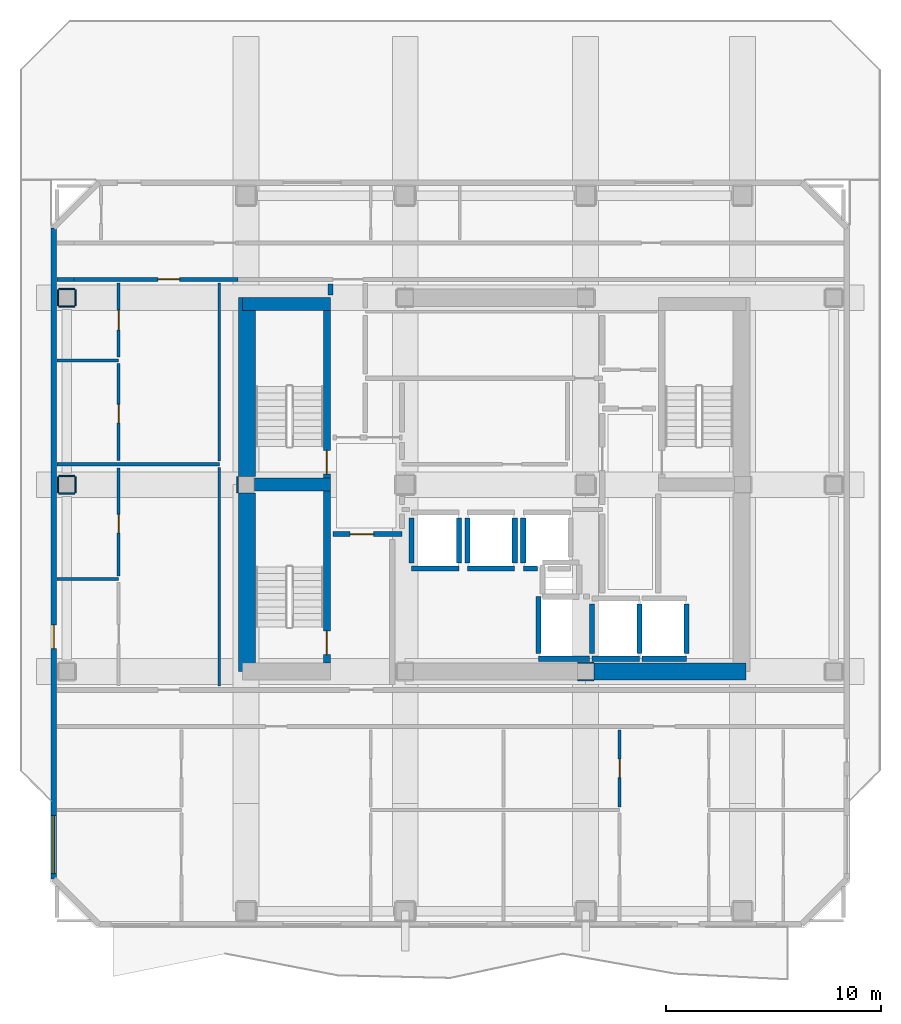
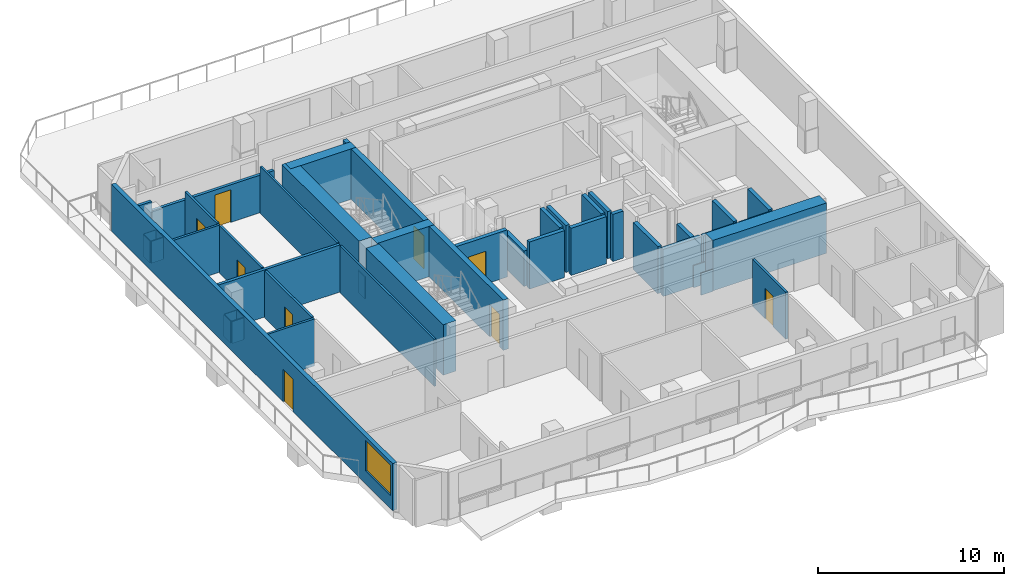
# One storey, part 3 of 10: 47 walls, 9 doors, 1 window, 10 openings.
"""IFC4 building model written with IfcOpenShell, lengths in metres."""

from ifc_helpers import new_model, si_unit, direction, frame, frame_2d, origin, place, context, subcontext, project, spatial, rectangle, extrude, material, layer, layer_set, type_object, element, fill, save


model = new_model("IFC4")

# Units and contexts
model_context = context("Model", 3, precision=1e-05, world=origin(), true_north=direction((0.0, 1.0)))
body_context = subcontext(model_context, "Body", "Model", "MODEL_VIEW")
ifc_project = project(units=[si_unit("LENGTHUNIT", "METRE"), si_unit("AREAUNIT", "SQUARE_METRE"), si_unit("VOLUMEUNIT", "CUBIC_METRE"), si_unit("PLANEANGLEUNIT", "RADIAN"), si_unit("MASSUNIT", "GRAM", prefix="KILO")], contexts=[model_context])

# Site, building, storey
site_placement = place(None, origin())
site = spatial("IfcSite", under=ifc_project, at=site_placement, CompositionType="ELEMENT")
building_placement = place(site_placement, origin())
building = spatial("IfcBuilding", under=site, at=building_placement, Name="Solanera Arch Residences", CompositionType="ELEMENT")
storey_placement = place(building_placement, frame((0.0, 0.0, 190.159912109375)))
storey = spatial("IfcBuildingStorey", under=building, at=storey_placement, Name="L55", CompositionType="ELEMENT", Elevation=190.159912109375)

# Walls
ifc_material_1 = material(Name="Fire-Rated Gypsum Stud Partition", Category="gypsum")
ifc_layer_1 = layer(ifc_material_1, 0.06005859375)
ifc_layer_set_1 = layer_set([ifc_layer_1], Name="Fire-Rated Gypsum Stud Partition")
wall_type_1 = type_object("IfcWallType", Name="Column Acoustic Furring Wall 60", PredefinedType="PARTITIONING", material=ifc_layer_set_1)
for number, where, z_axis, x_axis, name in (
    (1, (28.8330078125, 21.593017578125, 0.0), (0.0, 0.0, 1.0), (1.0, 0.0, 0.0), "L55 Column Furring 2S"),
    (2, (28.8330078125, 22.406982421875, 0.0), (0.0, 0.0, 1.0), (1.0, 0.0, 0.0), "L55 Column Furring 2N"),
):
    element("IfcWall", number, at=place(storey_placement, frame(where, z_axis=z_axis, x_axis=x_axis)), inside=storey, type_object=wall_type_1, Name=name, PredefinedType="PARTITIONING", context=body_context, shape_type="SweptSolid", body=[
        extrude(rectangle(XDim=0.73388671875, YDim=0.06005859375, at=frame_2d((0.366943359375, 0.0))), origin(), (0.0, 0.0, 1.0), 1.4501953125),
    ])
for number, where, z_axis, x_axis, name in (
    (3, (12.992919921875, 30.324951171875, 0.0), (0.0, 0.0, 1.0), (0.0, 1.0, 0.0), "L55 Column Furring 5W"),
    (4, (4.675048828125, 30.29296875, 0.0), (0.0, 0.0, 1.0), (1.0, 0.0, 0.0), "L55 Column Furring 19S"),
    (5, (4.675048828125, 31.10693359375, 0.0), (0.0, 0.0, 1.0), (1.0, 0.0, 0.0), "L55 Column Furring 19N"),
    (6, (4.64306640625, 30.324951171875, 0.0), (0.0, 0.0, 1.0), (0.0, 1.0, 0.0), "L55 Column Furring 19W"),
    (7, (5.45703125, 30.324951171875, 0.0), (0.0, 0.0, 1.0), (0.0, 1.0, 0.0), "L55 Column Furring 19E"),
    (8, (4.675048828125, 38.992919921875, 0.0), (0.0, 0.0, 1.0), (1.0, 0.0, 0.0), "L55 Column Furring 21S"),
    (9, (4.675048828125, 39.806884765625, 0.0), (0.0, 0.0, 1.0), (1.0, 0.0, 0.0), "L55 Column Furring 21N"),
    (10, (4.64306640625, 39.02490234375, 0.0), (0.0, 0.0, 1.0), (0.0, 1.0, 0.0), "L55 Column Furring 21W"),
    (11, (5.45703125, 39.02490234375, 0.0), (0.0, 0.0, 1.0), (0.0, 1.0, 0.0), "L55 Column Furring 21E"),
):
    element("IfcWall", number, at=place(storey_placement, frame(where, z_axis=z_axis, x_axis=x_axis)), inside=storey, type_object=wall_type_1, Name=name, PredefinedType="PARTITIONING", context=body_context, shape_type="SweptSolid", body=[
        extrude(rectangle(XDim=0.75, YDim=0.06005859375, at=frame_2d((0.375, 0.0))), origin(), (0.0, 0.0, 1.0), 1.4501953125),
    ])

# Wall, opening, door
ifc_material_2 = material(Name="Concrete C40/50 (f'c = 45 MPa)", Category="concrete")
ifc_layer_2 = layer(ifc_material_2, 0.320068359375)
ifc_layer_set_2 = layer_set([ifc_layer_2], Name="Concrete C40/50 (f'c = 45 MPa)")
wall_type_2 = type_object("IfcWallType", Name="Core Shear Wall CW-320", PredefinedType="SHEAR", material=ifc_layer_set_2)
wall_1_placement = place(storey_placement, frame((17.159912109375, 31.0, 0.0), z_axis=(0.0, 0.0, 1.0), x_axis=(0.0, 1.0, 0.0)))
wall_1 = element("IfcWall", 12, at=wall_1_placement, inside=storey, type_object=wall_type_2, Name="L55 Stair ST-T1 East Shear Wall", PredefinedType="SHEAR", context=body_context, shape_type="SweptSolid", body=[
    extrude(rectangle(XDim=7.800048828125, YDim=0.320068359375, at=frame_2d((3.89990234375, 0.0))), origin(), (0.0, 0.0, 1.0), 3.320068359375),
])
opening_1_placement = place(wall_1_placement, frame((0.18994140625, 0.0, 0.0)))
opening_1 = element("IfcOpeningElement", 13, at=opening_1_placement, cuts=wall_1, Name="Opening DF-01", PredefinedType="OPENING", context=body_context, shape_type="SweptSolid", body=[
    extrude(rectangle(XDim=1.10009765625, YDim=2.14990234375, at=frame_2d((0.550048828125, 1.074951171875))), frame((0.0, 0.169921875, 0.0), z_axis=(0.0, -1.0, 0.0), x_axis=(1.0, 0.0, 0.0)), (0.0, 0.0, 1.0), 0.3401),
])
ifc_material_3 = material(Name="Fire-Rated Architectural Hardwood", Category="wood")
door_type_1 = type_object("IfcDoorType", Name="Stair Exit Fire Door DF-01", OperationType="NOTDEFINED", PredefinedType="DOOR", material=ifc_material_3)
door_1_placement = place(opening_1_placement, origin())
door_1 = element("IfcDoor", 14, at=door_1_placement, inside=storey, type_object=door_type_1, Name="DR-L55-STAIR-ST-T1", OperationType="SINGLE_SWING_RIGHT", OverallHeight=2.14990234375, OverallWidth=1.10009765625, PredefinedType="DOOR", context=body_context, shape_type="SweptSolid", body=[
    extrude(rectangle(XDim=1.10009765625, YDim=2.14990234375, at=frame_2d((0.550048828125, 1.074951171875))), frame((0.0, 0.02490234375, 0.0), z_axis=(0.0, -1.0, 0.0), x_axis=(1.0, 0.0, 0.0)), (0.0, 0.0, 1.0), 0.050048828125),
])
fill(opening_1, door_1)

wall_2_placement = place(storey_placement, frame((17.159912109375, 22.39990234375, 0.0), z_axis=(0.0, 0.0, 1.0), x_axis=(0.0, 1.0, 0.0)))
wall_2 = element("IfcWall", 15, at=wall_2_placement, inside=storey, type_object=wall_type_2, Name="L55 Stair ST-T3 East Shear Wall", PredefinedType="SHEAR", context=body_context, shape_type="SweptSolid", body=[
    extrude(rectangle(XDim=8.0, YDim=0.320068359375, at=frame_2d((4.0, 0.0))), origin(), (0.0, 0.0, 1.0), 3.320068359375),
])
opening_2_placement = place(wall_2_placement, frame((0.389892578125, 0.0, 0.0)))
opening_2 = element("IfcOpeningElement", 16, at=opening_2_placement, cuts=wall_2, Name="Opening DF-01", PredefinedType="OPENING", context=body_context, shape_type="SweptSolid", body=[
    extrude(rectangle(XDim=1.10009765625, YDim=2.14990234375, at=frame_2d((0.550048828125, 1.074951171875))), frame((0.0, 0.169921875, 0.0), z_axis=(0.0, -1.0, 0.0), x_axis=(1.0, 0.0, 0.0)), (0.0, 0.0, 1.0), 0.3401),
])
door_2_placement = place(opening_2_placement, origin())
door_2 = element("IfcDoor", 17, at=door_2_placement, inside=storey, type_object=door_type_1, Name="DR-L55-STAIR-ST-T3", OperationType="SINGLE_SWING_RIGHT", OverallHeight=2.14990234375, OverallWidth=1.10009765625, PredefinedType="DOOR", context=body_context, shape_type="SweptSolid", body=[
    extrude(rectangle(XDim=1.10009765625, YDim=2.14990234375, at=frame_2d((0.550048828125, 1.074951171875))), frame((0.0, 0.02490234375, 0.0), z_axis=(0.0, -1.0, 0.0), x_axis=(1.0, 0.0, 0.0)), (0.0, 0.0, 1.0), 0.050048828125),
])
fill(opening_2, door_2)

# Walls
ifc_material_4 = material(Name="Concrete C40/50 (f'c = 45 MPa)", Category="concrete")
ifc_layer_3 = layer(ifc_material_4, 0.60009765625)
ifc_layer_set_3 = layer_set([ifc_layer_3], Name="Concrete C40/50 (f'c = 45 MPa)")
wall_type_3 = type_object("IfcWallType", Name="Core Shear Wall CW-600", PredefinedType="SHEAR", material=ifc_layer_set_3)
wall_3_placement = place(storey_placement, frame((13.239990234375, 39.10009765625, 0.0), z_axis=(0.0, 0.0, 1.0), x_axis=(1.0, 0.0, 0.0)))
element("IfcWall", 18, at=wall_3_placement, inside=storey, type_object=wall_type_3, Name="L55 North-West Core Shear Wall", PredefinedType="SHEAR", context=body_context, shape_type="SweptSolid", body=[
    extrude(rectangle(XDim=4.080078125, YDim=0.60009765625, at=frame_2d((2.0400390625, 0.0))), origin(), (0.0, 0.0, 1.0), 3.320068359375),
])
wall_4_placement = place(storey_placement, frame((13.780029296875, 30.699951171875, 0.0), z_axis=(0.0, 0.0, 1.0), x_axis=(1.0, 0.0, 0.0)))
element("IfcWall", 19, at=wall_4_placement, inside=storey, type_object=wall_type_3, Name="L55 West Stair Divider Shear Wall", PredefinedType="SHEAR", context=body_context, shape_type="SweptSolid", body=[
    extrude(rectangle(XDim=3.5400390625, YDim=0.60009765625, at=frame_2d((1.77001953125, 0.0))), origin(), (0.0, 0.0, 1.0), 3.320068359375),
])
ifc_material_5 = material(Name="Concrete C40/50 (f'c = 45 MPa)", Category="concrete")
ifc_layer_4 = layer(ifc_material_5, 0.800048828125)
ifc_layer_set_4 = layer_set([ifc_layer_4], Name="Concrete C40/50 (f'c = 45 MPa)")
wall_type_4 = type_object("IfcWallType", Name="Core Shear Wall CW-800", PredefinedType="SHEAR", material=ifc_layer_set_4)
wall_5_placement = place(storey_placement, frame((13.43994140625, 22.0, 0.0), z_axis=(0.0, 0.0, 1.0), x_axis=(0.0, 1.0, 0.0)))
element("IfcWall", 20, at=wall_5_placement, inside=storey, type_object=wall_type_4, Name="L55 West Core South Shear Wall", PredefinedType="SHEAR", context=body_context, shape_type="SweptSolid", body=[
    extrude(rectangle(XDim=8.320068359375, YDim=0.800048828125, at=frame_2d((4.16015625, 0.0))), origin(), (0.0, 0.0, 1.0), 3.320068359375),
])
wall_6_placement = place(storey_placement, frame((13.43994140625, 31.080078125, 0.0), z_axis=(0.0, 0.0, 1.0), x_axis=(0.0, 1.0, 0.0)))
element("IfcWall", 21, at=wall_6_placement, inside=storey, type_object=wall_type_4, Name="L55 West Core North Shear Wall", PredefinedType="SHEAR", context=body_context, shape_type="SweptSolid", body=[
    extrude(rectangle(XDim=8.31982421875, YDim=0.800048828125, at=frame_2d((4.159912109375, 0.0))), origin(), (0.0, 0.0, 1.0), 3.320068359375),
])
wall_7_placement = place(storey_placement, frame((29.580078125, 22.0, 0.0), z_axis=(0.0, 0.0, 1.0), x_axis=(1.0, 0.0, 0.0)))
element("IfcWall", 22, at=wall_7_placement, inside=storey, type_object=wall_type_4, Name="L55 South-East Core Shear Wall", PredefinedType="SHEAR", context=body_context, shape_type="SweptSolid", body=[
    extrude(rectangle(XDim=7.079833984375, YDim=0.800048828125, at=frame_2d((3.5400390625, 0.0))), origin(), (0.0, 0.0, 1.0), 3.320068359375),
])
ifc_material_6 = material(Name="Autoclaved Aerated Concrete Blockwork", Category="masonry")
ifc_layer_5 = layer(ifc_material_6, 0.179931640625)
ifc_layer_set_5 = layer_set([ifc_layer_5], Name="Autoclaved Aerated Concrete Blockwork")
wall_type_5 = type_object("IfcWallType", Name="Corridor Fire Partition 180", PredefinedType="PARTITIONING", material=ifc_layer_set_5)
wall_8_placement = place(storey_placement, frame((4.5869140625, 31.64990234375, 0.0), z_axis=(0.0, 0.0, 1.0), x_axis=(1.0, 0.0, 0.0)))
element("IfcWall", 23, at=wall_8_placement, inside=storey, type_object=wall_type_5, Name="L55 Interior Partition H9", PredefinedType="PARTITIONING", context=body_context, shape_type="SweptSolid", body=[
    extrude(rectangle(XDim=7.56298828125, YDim=0.179931640625, at=frame_2d((3.781494140625, 0.0))), origin(), (0.0, 0.0, 1.0), 3.10009765625),
])
wall_9_placement = place(storey_placement, frame((4.5869140625, 40.25, 0.0), z_axis=(0.0, 0.0, 1.0), x_axis=(1.0, 0.0, 0.0)))
element("IfcWall", 24, at=wall_9_placement, inside=storey, type_object=wall_type_5, Name="L55 Interior Partition H12 1", PredefinedType="PARTITIONING", context=body_context, shape_type="SweptSolid", body=[
    extrude(rectangle(XDim=0.801025390625, YDim=0.179931640625, at=frame_2d((0.400390625, 0.0))), origin(), (0.0, 0.0, 1.0), 3.10009765625),
])

# Wall, opening, door
wall_10_placement = place(storey_placement, frame((5.387939453125, 40.25, 0.0), z_axis=(0.0, 0.0, 1.0), x_axis=(1.0, 0.0, 0.0)))
wall_10 = element("IfcWall", 25, at=wall_10_placement, inside=storey, type_object=wall_type_5, Name="L55 Interior Partition H12 2", PredefinedType="PARTITIONING", context=body_context, shape_type="SweptSolid", body=[
    extrude(rectangle(XDim=7.6240234375, YDim=0.179931640625, at=frame_2d((3.81201171875, 0.0))), origin(), (0.0, 0.0, 1.0), 2.47705078125),
])
opening_3_placement = place(wall_10_placement, frame((3.9208984375, 0.0, 0.0)))
opening_3 = element("IfcOpeningElement", 26, at=opening_3_placement, cuts=wall_10, Name="Opening DI-01", PredefinedType="OPENING", context=body_context, shape_type="SweptSolid", body=[
    extrude(rectangle(XDim=1.0, YDim=2.14990234375, at=frame_2d((0.5, 1.074951171875))), frame((0.0, 0.10009765625, 0.0), z_axis=(0.0, -1.0, 0.0), x_axis=(1.0, 0.0, 0.0)), (0.0, 0.0, 1.0), 0.1999),
])
ifc_material_7 = material(Name="Fire-Rated Architectural Hardwood", Category="wood")
door_type_2 = type_object("IfcDoorType", Name="Unit Entrance Fire Door DI-01", OperationType="NOTDEFINED", PredefinedType="DOOR", material=ifc_material_7)
door_3_placement = place(opening_3_placement, origin())
door_3 = element("IfcDoor", 27, at=door_3_placement, inside=storey, type_object=door_type_2, Name="DR-L55-IN-033", OperationType="SINGLE_SWING_RIGHT", OverallHeight=2.14990234375, OverallWidth=1.0, PredefinedType="DOOR", context=body_context, shape_type="SweptSolid", body=[
    extrude(rectangle(XDim=1.0, YDim=2.14990234375, at=frame_2d((0.5, 1.074951171875))), frame((0.0, 0.02490234375, 0.0), z_axis=(0.0, -1.0, 0.0), x_axis=(1.0, 0.0, 0.0)), (0.0, 0.0, 1.0), 0.050048828125),
])
fill(opening_3, door_3)

# Wall, openings, door, window
ifc_material_8 = material(Name="Precast Concrete C35/45", Category="concrete")
ifc_layer_6 = layer(ifc_material_8, 0.260009765625)
ifc_layer_set_6 = layer_set([ifc_layer_6], Name="Precast Concrete C35/45")
wall_type_6 = type_object("IfcWallType", Name="Exterior Wall Precast Masonry-Frame 260", PredefinedType="STANDARD", material=ifc_layer_set_6)
wall_11_placement = place(storey_placement, frame((4.445068359375, 12.344970703125, 0.0), z_axis=(0.0, 0.0, 1.0), x_axis=(0.0, 1.0, 0.0)))
wall_11 = element("IfcWall", 28, at=wall_11_placement, inside=storey, type_object=wall_type_6, Name="L55 Tower Exterior Precast Masonry-Frame Wall W", PredefinedType="STANDARD", context=body_context, shape_type="SweptSolid", body=[
    extrude(rectangle(XDim=30.31005859375, YDim=0.260009765625, at=frame_2d((15.155029296875, 0.0))), origin(), (0.0, 0.0, 1.0), 3.10009765625),
])
opening_4_placement = place(wall_11_placement, frame((10.72802734375, 0.0, 0.0)))
opening_4 = element("IfcOpeningElement", 29, at=opening_4_placement, cuts=wall_11, Name="Opening DB-02", PredefinedType="OPENING", context=body_context, shape_type="SweptSolid", body=[
    extrude(rectangle(XDim=1.10009765625, YDim=2.14990234375, at=frame_2d((0.550048828125, 1.074951171875))), frame((0.0, 0.139892578125, 0.0), z_axis=(0.0, -1.0, 0.0), x_axis=(1.0, 0.0, 0.0)), (0.0, 0.0, 1.0), 0.28),
])
opening_5_placement = place(wall_11_placement, frame((0.251953125, 0.0, 0.85009765625)))
opening_5 = element("IfcOpeningElement", 30, at=opening_5_placement, cuts=wall_11, Name="Opening W-09", PredefinedType="OPENING", context=body_context, shape_type="SweptSolid", body=[
    extrude(rectangle(XDim=2.699951171875, YDim=2.0, at=frame_2d((1.35009765625, 1.0))), frame((0.0, 0.139892578125, 0.0), z_axis=(0.0, -1.0, 0.0), x_axis=(1.0, 0.0, 0.0)), (0.0, 0.0, 1.0), 0.28),
])
ifc_material_9 = material(Name="Anodised Aluminium Alloy 6063-T6", Category="aluminium")
door_type_3 = type_object("IfcDoorType", Name="Glazed Terrace Swing Door DB-02", OperationType="NOTDEFINED", PredefinedType="DOOR", material=ifc_material_9)
door_4_placement = place(opening_4_placement, origin())
door_4 = element("IfcDoor", 31, at=door_4_placement, inside=storey, type_object=door_type_3, Name="DR-L55-OUT-02", OperationType="SINGLE_SWING_RIGHT", OverallHeight=2.14990234375, OverallWidth=1.10009765625, PredefinedType="DOOR", context=body_context, shape_type="SweptSolid", body=[
    extrude(rectangle(XDim=1.10009765625, YDim=2.14990234375, at=frame_2d((0.550048828125, 1.074951171875))), frame((0.0, 0.02490234375, 0.0), z_axis=(0.0, -1.0, 0.0), x_axis=(1.0, 0.0, 0.0)), (0.0, 0.0, 1.0), 0.050048828125),
])
fill(opening_4, door_4)
ifc_material_10 = material(Name="Double Glazed Low-E Laminated Glass", Category="glass")
window_type = type_object("IfcWindowType", Name="Punched Window W-09", PartitioningType="TRIPLE_PANEL_VERTICAL", PredefinedType="WINDOW", material=ifc_material_10)
window_placement = place(opening_5_placement, origin())
window = element("IfcWindow", 32, at=window_placement, inside=storey, type_object=window_type, Name="L55 5501-BR1 Punched Window", OverallHeight=2.0, OverallWidth=2.699951171875, PartitioningType="SINGLE_PANEL", PredefinedType="WINDOW", context=body_context, shape_type="SweptSolid", body=[
    extrude(rectangle(XDim=2.699951171875, YDim=2.0, at=frame_2d((1.35009765625, 1.0))), frame((0.0, 0.030029296875, 0.0), z_axis=(0.0, -1.0, 0.0), x_axis=(1.0, 0.0, 0.0)), (0.0, 0.0, 1.0), 0.06005859375),
])
fill(opening_5, window)

# Walls
ifc_material_11 = material(Name="Autoclaved Aerated Concrete Blockwork", Category="masonry")
ifc_layer_7 = layer(ifc_material_11, 0.239990234375)
ifc_layer_set_7 = layer_set([ifc_layer_7], Name="Autoclaved Aerated Concrete Blockwork")
wall_type_7 = type_object("IfcWallType", Name="Shaft Wall Fire-Rated 240", PredefinedType="PARTITIONING", material=ifc_layer_set_7)
wall_12_placement = place(storey_placement, frame((21.10009765625, 26.800048828125, 0.0), z_axis=(0.0, 0.0, 1.0), x_axis=(1.0, 0.0, 0.0)))
element("IfcWall", 33, at=wall_12_placement, inside=storey, type_object=wall_type_7, Name="L55 Lift PL-H1 Hoistway Wall S", PredefinedType="PARTITIONING", context=body_context, shape_type="SweptSolid", body=[
    extrude(rectangle(XDim=2.199951171875, YDim=0.239990234375, at=frame_2d((1.10009765625, 0.0))), origin(), (0.0, 0.0, 1.0), 3.10009765625),
])
wall_13_placement = place(storey_placement, frame((21.10009765625, 27.048095703125, 0.0), z_axis=(0.0, 0.0, 1.0), x_axis=(0.0, 1.0, 0.0)))
element("IfcWall", 34, at=wall_13_placement, inside=storey, type_object=wall_type_7, Name="L55 Lift PL-H1 Hoistway Wall W", PredefinedType="PARTITIONING", context=body_context, shape_type="SweptSolid", body=[
    extrude(rectangle(XDim=2.10400390625, YDim=0.239990234375, at=frame_2d((1.052001953125, 0.0))), origin(), (0.0, 0.0, 1.0), 2.335205078125),
])
wall_14_placement = place(storey_placement, frame((23.300048828125, 27.048095703125, 0.0), z_axis=(0.0, 0.0, 1.0), x_axis=(0.0, 1.0, 0.0)))
element("IfcWall", 35, at=wall_14_placement, inside=storey, type_object=wall_type_7, Name="L55 Lift PL-H1 Hoistway Wall E", PredefinedType="PARTITIONING", context=body_context, shape_type="SweptSolid", body=[
    extrude(rectangle(XDim=2.10400390625, YDim=0.239990234375, at=frame_2d((1.052001953125, 0.0))), origin(), (0.0, 0.0, 1.0), 3.10009765625),
])
wall_15_placement = place(storey_placement, frame((23.699951171875, 26.800048828125, 0.0), z_axis=(0.0, 0.0, 1.0), x_axis=(1.0, 0.0, 0.0)))
element("IfcWall", 36, at=wall_15_placement, inside=storey, type_object=wall_type_7, Name="L55 Lift PL-H2 Hoistway Wall S", PredefinedType="PARTITIONING", context=body_context, shape_type="SweptSolid", body=[
    extrude(rectangle(XDim=2.199951171875, YDim=0.239990234375, at=frame_2d((1.10009765625, 0.0))), origin(), (0.0, 0.0, 1.0), 3.10009765625),
])
for number, where, z_axis, x_axis, name in (
    (37, (23.699951171875, 27.048095703125, 0.0), (0.0, 0.0, 1.0), (0.0, 1.0, 0.0), "L55 Lift PL-H2 Hoistway Wall W"),
    (38, (25.89990234375, 27.048095703125, 0.0), (0.0, 0.0, 1.0), (0.0, 1.0, 0.0), "L55 Lift PL-H2 Hoistway Wall E"),
):
    element("IfcWall", number, at=place(storey_placement, frame(where, z_axis=z_axis, x_axis=x_axis)), inside=storey, type_object=wall_type_7, Name=name, PredefinedType="PARTITIONING", context=body_context, shape_type="SweptSolid", body=[
        extrude(rectangle(XDim=2.10400390625, YDim=0.239990234375, at=frame_2d((1.052001953125, 0.0))), origin(), (0.0, 0.0, 1.0), 3.10009765625),
    ])
wall_16_placement = place(storey_placement, frame((26.300048828125, 26.800048828125, 0.0), z_axis=(0.0, 0.0, 1.0), x_axis=(1.0, 0.0, 0.0)))
element("IfcWall", 39, at=wall_16_placement, inside=storey, type_object=wall_type_7, Name="L55 Lift PL-H3 Hoistway Wall S 1", PredefinedType="PARTITIONING", context=body_context, shape_type="SweptSolid", body=[
    extrude(rectangle(XDim=0.64990234375, YDim=0.239990234375, at=frame_2d((0.324951171875, 0.0))), origin(), (0.0, 0.0, 1.0), 3.10009765625),
])
wall_17_placement = place(storey_placement, frame((26.300048828125, 27.048095703125, 0.0), z_axis=(0.0, 0.0, 1.0), x_axis=(0.0, 1.0, 0.0)))
element("IfcWall", 40, at=wall_17_placement, inside=storey, type_object=wall_type_7, Name="L55 Lift PL-H3 Hoistway Wall W", PredefinedType="PARTITIONING", context=body_context, shape_type="SweptSolid", body=[
    extrude(rectangle(XDim=2.10400390625, YDim=0.239990234375, at=frame_2d((1.052001953125, 0.0))), origin(), (0.0, 0.0, 1.0), 3.10009765625),
])
wall_18_placement = place(storey_placement, frame((29.5, 22.60009765625, 0.0), z_axis=(0.0, 0.0, 1.0), x_axis=(1.0, 0.0, 0.0)))
element("IfcWall", 41, at=wall_18_placement, inside=storey, type_object=wall_type_7, Name="L55 Lift FFL-1 Hoistway Wall S", PredefinedType="PARTITIONING", context=body_context, shape_type="SweptSolid", body=[
    extrude(rectangle(XDim=2.199951171875, YDim=0.239990234375, at=frame_2d((1.10009765625, 0.0))), origin(), (0.0, 0.0, 1.0), 3.10009765625),
])
wall_19_placement = place(storey_placement, frame((29.5, 22.847900390625, 0.0), z_axis=(0.0, 0.0, 1.0), x_axis=(0.0, 1.0, 0.0)))
element("IfcWall", 42, at=wall_19_placement, inside=storey, type_object=wall_type_7, Name="L55 Lift FFL-1 Hoistway Wall W", PredefinedType="PARTITIONING", context=body_context, shape_type="SweptSolid", body=[
    extrude(rectangle(XDim=2.30419921875, YDim=0.239990234375, at=frame_2d((1.152099609375, 0.0))), origin(), (0.0, 0.0, 1.0), 2.335205078125),
])
wall_20_placement = place(storey_placement, frame((31.699951171875, 22.847900390625, 0.0), z_axis=(0.0, 0.0, 1.0), x_axis=(0.0, 1.0, 0.0)))
element("IfcWall", 43, at=wall_20_placement, inside=storey, type_object=wall_type_7, Name="L55 Lift FFL-1 Hoistway Wall E", PredefinedType="PARTITIONING", context=body_context, shape_type="SweptSolid", body=[
    extrude(rectangle(XDim=2.30419921875, YDim=0.239990234375, at=frame_2d((1.152099609375, 0.0))), origin(), (0.0, 0.0, 1.0), 3.10009765625),
])
wall_21_placement = place(storey_placement, frame((31.827880859375, 22.60009765625, 0.0), z_axis=(0.0, 0.0, 1.0), x_axis=(1.0, 0.0, 0.0)))
element("IfcWall", 44, at=wall_21_placement, inside=storey, type_object=wall_type_7, Name="L55 Lift FFL-2 Hoistway Wall S", PredefinedType="PARTITIONING", context=body_context, shape_type="SweptSolid", body=[
    extrude(rectangle(XDim=2.072021484375, YDim=0.239990234375, at=frame_2d((1.0361328125, 0.0))), origin(), (0.0, 0.0, 1.0), 3.10009765625),
])
wall_22_placement = place(storey_placement, frame((33.89990234375, 22.847900390625, 0.0), z_axis=(0.0, 0.0, 1.0), x_axis=(0.0, 1.0, 0.0)))
element("IfcWall", 45, at=wall_22_placement, inside=storey, type_object=wall_type_7, Name="L55 Lift FFL-2 Hoistway Wall E", PredefinedType="PARTITIONING", context=body_context, shape_type="SweptSolid", body=[
    extrude(rectangle(XDim=2.30419921875, YDim=0.239990234375, at=frame_2d((1.152099609375, 0.0))), origin(), (0.0, 0.0, 1.0), 3.10009765625),
])
wall_23_placement = place(storey_placement, frame((27.0, 22.60009765625, 0.0), z_axis=(0.0, 0.0, 1.0), x_axis=(1.0, 0.0, 0.0)))
element("IfcWall", 46, at=wall_23_placement, inside=storey, type_object=wall_type_7, Name="L55 Lift SVL-1 Hoistway Wall S", PredefinedType="PARTITIONING", context=body_context, shape_type="SweptSolid", body=[
    extrude(rectangle(XDim=2.3720703125, YDim=0.239990234375, at=frame_2d((1.18603515625, 0.0))), origin(), (0.0, 0.0, 1.0), 3.10009765625),
])
wall_24_placement = place(storey_placement, frame((27.0, 22.847900390625, 0.0), z_axis=(0.0, 0.0, 1.0), x_axis=(0.0, 1.0, 0.0)))
element("IfcWall", 47, at=wall_24_placement, inside=storey, type_object=wall_type_7, Name="L55 Lift SVL-1 Hoistway Wall W", PredefinedType="PARTITIONING", context=body_context, shape_type="SweptSolid", body=[
    extrude(rectangle(XDim=2.650146484375, YDim=0.239990234375, at=frame_2d((1.3251953125, 0.0))), origin(), (0.0, 0.0, 1.0), 3.10009765625),
])

# Wall, opening, door
wall_25_placement = place(storey_placement, frame((17.449951171875, 28.39990234375, 0.0), z_axis=(0.0, 0.0, 1.0), x_axis=(1.0, 0.0, 0.0)))
wall_25 = element("IfcWall", 48, at=wall_25_placement, inside=storey, type_object=wall_type_7, Name="L55 Interior Partition H3", PredefinedType="PARTITIONING", context=body_context, shape_type="SweptSolid", body=[
    extrude(rectangle(XDim=3.199951171875, YDim=0.239990234375, at=frame_2d((1.60009765625, 0.0))), origin(), (0.0, 0.0, 1.0), 3.10009765625),
])
opening_6_placement = place(wall_25_placement, frame((0.783935546875, 0.0, 0.0)))
opening_6 = element("IfcOpeningElement", 49, at=opening_6_placement, cuts=wall_25, Name="Opening DF-02", PredefinedType="OPENING", context=body_context, shape_type="SweptSolid", body=[
    extrude(rectangle(XDim=1.10009765625, YDim=2.14990234375, at=frame_2d((0.550048828125, 1.074951171875))), frame((0.0, 0.1298828125, 0.0), z_axis=(0.0, -1.0, 0.0), x_axis=(1.0, 0.0, 0.0)), (0.0, 0.0, 1.0), 0.26),
])
ifc_material_12 = material(Name="Fire-Rated Architectural Hardwood", Category="wood")
door_type_4 = type_object("IfcDoorType", Name="Firefighting Lobby Fire Door DF-02", OperationType="NOTDEFINED", PredefinedType="DOOR", material=ifc_material_12)
door_5_placement = place(opening_6_placement, origin())
door_5 = element("IfcDoor", 50, at=door_5_placement, inside=storey, type_object=door_type_4, Name="DR-L55-IN-004", OperationType="SINGLE_SWING_LEFT", OverallHeight=2.14990234375, OverallWidth=1.10009765625, PredefinedType="DOOR", context=body_context, shape_type="SweptSolid", body=[
    extrude(rectangle(XDim=1.10009765625, YDim=2.14990234375, at=frame_2d((0.550048828125, 1.074951171875))), frame((0.0, 0.02490234375, 0.0), z_axis=(0.0, -1.0, 0.0), x_axis=(1.0, 0.0, 0.0)), (0.0, 0.0, 1.0), 0.050048828125),
])
fill(opening_6, door_5)

# Walls
wall_26_placement = place(storey_placement, frame((17.320068359375, 39.530029296875, 0.0), z_axis=(0.0, 0.0, 1.0), x_axis=(0.0, 1.0, 0.0)))
element("IfcWall", 51, at=wall_26_placement, inside=storey, type_object=wall_type_7, Name="L55 Interior Partition V1", PredefinedType="PARTITIONING", context=body_context, shape_type="SweptSolid", body=[
    extrude(rectangle(XDim=0.501953125, YDim=0.239990234375, at=frame_2d((0.2509765625, 0.0))), origin(), (0.0, 0.0, 1.0), 3.10009765625),
])
ifc_material_13 = material(Name="Fire-Rated Gypsum Stud Partition", Category="gypsum")
ifc_layer_8 = layer(ifc_material_13, 0.1201171875)
ifc_layer_set_8 = layer_set([ifc_layer_8], Name="Fire-Rated Gypsum Stud Partition")
wall_type_8 = type_object("IfcWallType", Name="Unit Drywall Partition 120", PredefinedType="PARTITIONING", material=ifc_layer_set_8)
wall_27_placement = place(storey_placement, frame((12.14990234375, 21.337890625, 0.0), z_axis=(0.0, 0.0, 1.0), x_axis=(0.0, 1.0, 0.0)))
element("IfcWall", 52, at=wall_27_placement, inside=storey, type_object=wall_type_8, Name="L55 Interior Partition V16 1", PredefinedType="PARTITIONING", context=body_context, shape_type="SweptSolid", body=[
    extrude(rectangle(XDim=10.154052734375, YDim=0.1201171875, at=frame_2d((5.0771484375, 0.0))), origin(), (0.0, 0.0, 1.0), 3.10009765625),
])
wall_28_placement = place(storey_placement, frame((12.14990234375, 31.80810546875, 0.0), z_axis=(0.0, 0.0, 1.0), x_axis=(0.0, 1.0, 0.0)))
element("IfcWall", 53, at=wall_28_placement, inside=storey, type_object=wall_type_8, Name="L55 Interior Partition V16 2", PredefinedType="PARTITIONING", context=body_context, shape_type="SweptSolid", body=[
    extrude(rectangle(XDim=8.283935546875, YDim=0.1201171875, at=frame_2d((4.14208984375, 0.0))), origin(), (0.0, 0.0, 1.0), 3.10009765625),
])
ifc_material_14 = material(Name="Autoclaved Aerated Concrete Blockwork", Category="masonry")
ifc_layer_9 = layer(ifc_material_14, 0.139892578125)
ifc_layer_set_9 = layer_set([ifc_layer_9], Name="Autoclaved Aerated Concrete Blockwork")
wall_type_9 = type_object("IfcWallType", Name="Wet-Room Partition 140", PredefinedType="PARTITIONING", material=ifc_layer_set_9)
for number, where, z_axis, x_axis, name in (
    (54, (4.5869140625, 26.300048828125, 0.0), (0.0, 0.0, 1.0), (1.0, 0.0, 0.0), "L55 Interior Partition H17"),
    (55, (4.5869140625, 36.487060546875, 0.0), (0.0, 0.0, 1.0), (1.0, 0.0, 0.0), "L55 Interior Partition H18"),
):
    element("IfcWall", number, at=place(storey_placement, frame(where, z_axis=z_axis, x_axis=x_axis)), inside=storey, type_object=wall_type_9, Name=name, PredefinedType="PARTITIONING", context=body_context, shape_type="SweptSolid", body=[
        extrude(rectangle(XDim=2.882080078125, YDim=0.139892578125, at=frame_2d((1.44091796875, 0.0))), origin(), (0.0, 0.0, 1.0), 3.10009765625),
    ])

# Wall, opening, door
wall_29_placement = place(storey_placement, frame((7.468994140625, 26.447998046875, 0.0), z_axis=(0.0, 0.0, 1.0), x_axis=(0.0, 1.0, 0.0)))
wall_29 = element("IfcWall", 56, at=wall_29_placement, inside=storey, type_object=wall_type_9, Name="L55 Interior Partition V12 2", PredefinedType="PARTITIONING", context=body_context, shape_type="SweptSolid", body=[
    extrude(rectangle(XDim=5.033935546875, YDim=0.139892578125, at=frame_2d((2.51708984375, 0.0))), origin(), (0.0, 0.0, 1.0), 3.10009765625),
])
opening_7_placement = place(wall_29_placement, frame((2.009033203125, 0.0, 0.0)))
opening_7 = element("IfcOpeningElement", 57, at=opening_7_placement, cuts=wall_29, Name="Opening DI-05", PredefinedType="OPENING", context=body_context, shape_type="SweptSolid", body=[
    extrude(rectangle(XDim=0.860107421875, YDim=2.02001953125, at=frame_2d((0.43017578125, 1.010009765625))), frame((0.0, 0.079833984375, 0.0), z_axis=(0.0, -1.0, 0.0), x_axis=(1.0, 0.0, 0.0)), (0.0, 0.0, 1.0), 0.1599),
])
ifc_material_15 = material(Name="Fire-Rated Architectural Hardwood", Category="wood")
door_type_5 = type_object("IfcDoorType", Name="Bathroom Swing Door DI-05", OperationType="NOTDEFINED", PredefinedType="DOOR", material=ifc_material_15)
door_6_placement = place(opening_7_placement, origin())
door_6 = element("IfcDoor", 58, at=door_6_placement, inside=storey, type_object=door_type_5, Name="DR-L55-IN-032", OperationType="SINGLE_SWING_LEFT", OverallHeight=2.02001953125, OverallWidth=0.860107421875, PredefinedType="DOOR", context=body_context, shape_type="SweptSolid", body=[
    extrude(rectangle(XDim=0.860107421875, YDim=2.02001953125, at=frame_2d((0.43017578125, 1.010009765625))), frame((0.0, 0.02490234375, 0.0), z_axis=(0.0, -1.0, 0.0), x_axis=(1.0, 0.0, 0.0)), (0.0, 0.0, 1.0), 0.050048828125),
])
fill(opening_7, door_6)

wall_30_placement = place(storey_placement, frame((7.468994140625, 31.818115234375, 0.0), z_axis=(0.0, 0.0, 1.0), x_axis=(0.0, 1.0, 0.0)))
wall_30 = element("IfcWall", 59, at=wall_30_placement, inside=storey, type_object=wall_type_9, Name="L55 Interior Partition V12 3", PredefinedType="PARTITIONING", context=body_context, shape_type="SweptSolid", body=[
    extrude(rectangle(XDim=4.52099609375, YDim=0.139892578125, at=frame_2d((2.260498046875, 0.0))), origin(), (0.0, 0.0, 1.0), 3.10009765625),
])
opening_8_placement = place(wall_30_placement, frame((1.758056640625, 0.0, 0.0)))
opening_8 = element("IfcOpeningElement", 60, at=opening_8_placement, cuts=wall_30, Name="Opening DI-05", PredefinedType="OPENING", context=body_context, shape_type="SweptSolid", body=[
    extrude(rectangle(XDim=0.860107421875, YDim=2.02001953125, at=frame_2d((0.43017578125, 1.010009765625))), frame((0.0, 0.079833984375, 0.0), z_axis=(0.0, -1.0, 0.0), x_axis=(1.0, 0.0, 0.0)), (0.0, 0.0, 1.0), 0.1599),
])
door_7_placement = place(opening_8_placement, origin())
door_7 = element("IfcDoor", 61, at=door_7_placement, inside=storey, type_object=door_type_5, Name="DR-L55-IN-035", OperationType="SINGLE_SWING_RIGHT", OverallHeight=2.02001953125, OverallWidth=0.860107421875, PredefinedType="DOOR", context=body_context, shape_type="SweptSolid", body=[
    extrude(rectangle(XDim=0.860107421875, YDim=2.02001953125, at=frame_2d((0.43017578125, 1.010009765625))), frame((0.0, 0.02490234375, 0.0), z_axis=(0.0, -1.0, 0.0), x_axis=(1.0, 0.0, 0.0)), (0.0, 0.0, 1.0), 0.050048828125),
])
fill(opening_8, door_7)

wall_31_placement = place(storey_placement, frame((7.468994140625, 36.635009765625, 0.0), z_axis=(0.0, 0.0, 1.0), x_axis=(0.0, 1.0, 0.0)))
wall_31 = element("IfcWall", 62, at=wall_31_placement, inside=storey, type_object=wall_type_9, Name="L55 Interior Partition V12 4", PredefinedType="PARTITIONING", context=body_context, shape_type="SweptSolid", body=[
    extrude(rectangle(XDim=3.447021484375, YDim=0.139892578125, at=frame_2d((1.7236328125, 0.0))), origin(), (0.0, 0.0, 1.0), 3.10009765625),
])
opening_9_placement = place(wall_31_placement, frame((1.27099609375, 0.0, 0.0)))
opening_9 = element("IfcOpeningElement", 63, at=opening_9_placement, cuts=wall_31, Name="Opening DI-02", PredefinedType="OPENING", context=body_context, shape_type="SweptSolid", body=[
    extrude(rectangle(XDim=0.89990234375, YDim=2.10009765625, at=frame_2d((0.449951171875, 1.050048828125))), frame((0.0, 0.079833984375, 0.0), z_axis=(0.0, -1.0, 0.0), x_axis=(1.0, 0.0, 0.0)), (0.0, 0.0, 1.0), 0.1599),
])
ifc_material_16 = material(Name="Fire-Rated Architectural Hardwood", Category="wood")
door_type_6 = type_object("IfcDoorType", Name="Suite Room Swing Door DI-02", OperationType="NOTDEFINED", PredefinedType="DOOR", material=ifc_material_16)
door_8_placement = place(opening_9_placement, origin())
door_8 = element("IfcDoor", 64, at=door_8_placement, inside=storey, type_object=door_type_6, Name="DR-L55-IN-034", OperationType="SINGLE_SWING_LEFT", OverallHeight=2.10009765625, OverallWidth=0.89990234375, PredefinedType="DOOR", context=body_context, shape_type="SweptSolid", body=[
    extrude(rectangle(XDim=0.89990234375, YDim=2.10009765625, at=frame_2d((0.449951171875, 1.050048828125))), frame((0.0, 0.02490234375, 0.0), z_axis=(0.0, -1.0, 0.0), x_axis=(1.0, 0.0, 0.0)), (0.0, 0.0, 1.0), 0.050048828125),
])
fill(opening_9, door_8)

wall_32_placement = place(storey_placement, frame((30.780029296875, 15.70703125, 0.0), z_axis=(0.0, 0.0, 1.0), x_axis=(0.0, 1.0, 0.0)))
wall_32 = element("IfcWall", 65, at=wall_32_placement, inside=storey, type_object=wall_type_9, Name="L55 Interior Partition V15 2", PredefinedType="PARTITIONING", context=body_context, shape_type="SweptSolid", body=[
    extrude(rectangle(XDim=3.574951171875, YDim=0.139892578125, at=frame_2d((1.78759765625, 0.0))), origin(), (0.0, 0.0, 1.0), 3.10009765625),
])
opening_10_placement = place(wall_32_placement, frame((1.35498046875, 0.0, 0.0)))
opening_10 = element("IfcOpeningElement", 66, at=opening_10_placement, cuts=wall_32, Name="Opening DI-05", PredefinedType="OPENING", context=body_context, shape_type="SweptSolid", body=[
    extrude(rectangle(XDim=0.860107421875, YDim=2.02001953125, at=frame_2d((0.43017578125, 1.010009765625))), frame((0.0, 0.079833984375, 0.0), z_axis=(0.0, -1.0, 0.0), x_axis=(1.0, 0.0, 0.0)), (0.0, 0.0, 1.0), 0.1599),
])
door_9_placement = place(opening_10_placement, origin())
door_9 = element("IfcDoor", 67, at=door_9_placement, inside=storey, type_object=door_type_5, Name="DR-L55-IN-020", OperationType="SINGLE_SWING_LEFT", OverallHeight=2.02001953125, OverallWidth=0.860107421875, PredefinedType="DOOR", context=body_context, shape_type="SweptSolid", body=[
    extrude(rectangle(XDim=0.860107421875, YDim=2.02001953125, at=frame_2d((0.43017578125, 1.010009765625))), frame((0.0, 0.02490234375, 0.0), z_axis=(0.0, -1.0, 0.0), x_axis=(1.0, 0.0, 0.0)), (0.0, 0.0, 1.0), 0.050048828125),
])
fill(opening_10, door_9)

save(model, "model.ifc")
